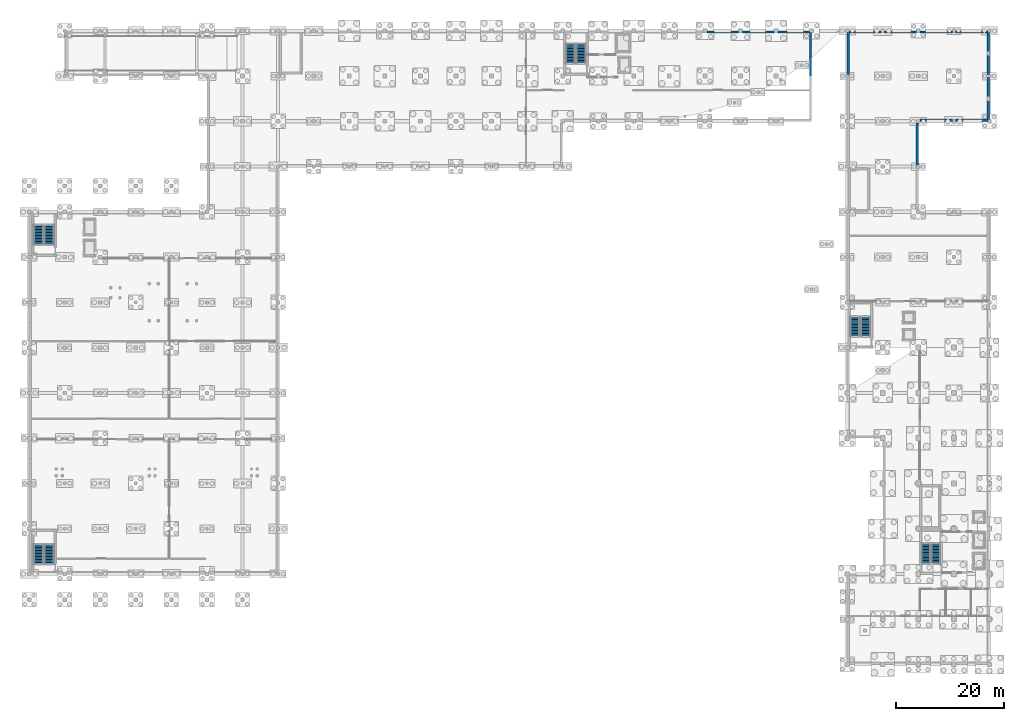
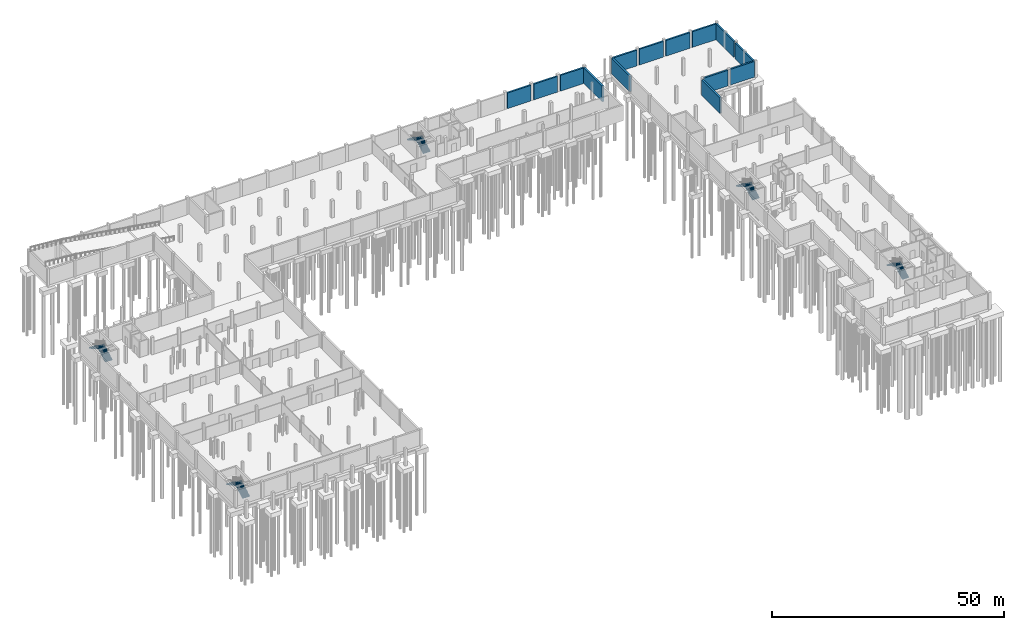
# One storey, part 18 of 25: 14 walls, 10 stair flights, 5 elements without a shape of their own.
"""IFC4 building model written with IfcOpenShell, lengths in metres."""

from ifc_helpers import new_model, si_unit, direction, frame, frame_2d, origin, place, context, subcontext, project, spatial, polyline, rectangle, outline, extrude, material, layer, layer_set, type_object, element, aggregate, save


model = new_model("IFC4")

# Units and contexts
model_context = context("Model", 3, precision=1e-05, world=origin(), true_north=direction((0.0, 1.0)))
body_context = subcontext(model_context, "Body", "Model", "MODEL_VIEW")
ifc_project = project(units=[si_unit("LENGTHUNIT", "METRE"), si_unit("AREAUNIT", "SQUARE_METRE"), si_unit("VOLUMEUNIT", "CUBIC_METRE"), si_unit("PLANEANGLEUNIT", "RADIAN"), si_unit("MASSUNIT", "GRAM", prefix="KILO")], contexts=[model_context])

# Site, building, storey
site_placement = place(None, origin())
site = spatial("IfcSite", under=ifc_project, at=site_placement, CompositionType="ELEMENT")
building_placement = place(site_placement, origin())
building = spatial("IfcBuilding", under=site, at=building_placement, Name="Qaldarim Faculty of Natural and Applied Sciences", CompositionType="ELEMENT")
storey_placement = place(building_placement, frame((0.0, 0.0, -4.5)))
storey = spatial("IfcBuildingStorey", under=building, at=storey_placement, Name="B01", CompositionType="ELEMENT", Elevation=-4.5)

# Walls
ifc_material = material(Name="Concrete C40/50", Category="concrete")
ifc_layer = layer(ifc_material, 0.419921875)
ifc_layer_set = layer_set([ifc_layer], Name="Concrete C40/50")
wall_type = type_object("IfcWallType", Name="BasementRetainingWall-420", PredefinedType="SOLIDWALL", material=ifc_layer_set)
for number, where, z_axis, x_axis, name in (
    (1, (131.655029296875, 117.389892578125, 0.0), (0.0, 0.0, 1.0), (-1.0, 0.0, 0.0), "Basement retaining wall N X20Y14"),
    (2, (138.2548828125, 117.389892578125, 0.0), (0.0, 0.0, 1.0), (-1.0, 0.0, 0.0), "Basement retaining wall N X21Y14"),
):
    element("IfcWall", number, at=place(storey_placement, frame(where, z_axis=z_axis, x_axis=x_axis)), inside=storey, type_object=wall_type, Name=name, PredefinedType="SOLIDWALL", context=body_context, shape_type="SweptSolid", body=[
        extrude(rectangle(XDim=5.909912109375, YDim=0.419921875, at=frame_2d((2.955078125, 0.0))), origin(), (0.0, 0.0, 1.0), 4.139892578125),
    ])
wall_1_placement = place(storey_placement, frame((144.989990234375, 109.199951171875, 0.0), z_axis=(0.0, 0.0, 1.0), x_axis=(0.0, 1.0, 0.0)))
element("IfcWall", 3, at=wall_1_placement, inside=storey, type_object=wall_type, Name="Basement retaining wall E X22Y14", PredefinedType="SOLIDWALL", context=body_context, shape_type="SweptSolid", body=[
    extrude(rectangle(XDim=8.054931640625, YDim=0.419921875, at=frame_2d((4.02734375, 0.0))), origin(), (0.0, 0.0, 1.0), 4.139892578125),
])
wall_2_placement = place(storey_placement, frame((144.85498046875, 117.389892578125, 0.0), z_axis=(0.0, 0.0, 1.0), x_axis=(-1.0, 0.0, 0.0)))
element("IfcWall", 4, at=wall_2_placement, inside=storey, type_object=wall_type, Name="Basement retaining wall N X22Y14", PredefinedType="SOLIDWALL", context=body_context, shape_type="SweptSolid", body=[
    extrude(rectangle(XDim=5.909912109375, YDim=0.419921875, at=frame_2d((2.955078125, 0.0))), origin(), (0.0, 0.0, 1.0), 4.139892578125),
])
wall_3_placement = place(storey_placement, frame((158.10498046875, 117.389892578125, 0.0), z_axis=(0.0, 0.0, 1.0), x_axis=(-1.0, 0.0, 0.0)))
element("IfcWall", 5, at=wall_3_placement, inside=storey, type_object=wall_type, Name="Basement retaining wall N X24Y14", PredefinedType="SOLIDWALL", context=body_context, shape_type="SweptSolid", body=[
    extrude(rectangle(XDim=6.010009765625, YDim=0.419921875, at=frame_2d((3.0048828125, 0.0))), origin(), (0.0, 0.0, 1.0), 4.139892578125),
])
for number, where, z_axis, x_axis, name in (
    (6, (152.010009765625, 117.304931640625, 0.0), (0.0, 0.0, 1.0), (0.0, -1.0, 0.0), "Basement retaining wall W X24Y14"),
    (7, (164.7900390625, 92.695068359375, 0.0), (0.0, 0.0, 1.0), (0.0, 1.0, 0.0), "Basement retaining wall E X25Y12"),
):
    element("IfcWall", number, at=place(storey_placement, frame(where, z_axis=z_axis, x_axis=x_axis)), inside=storey, type_object=wall_type, Name=name, PredefinedType="SOLIDWALL", context=body_context, shape_type="SweptSolid", body=[
        extrude(rectangle(XDim=7.809814453125, YDim=0.419921875, at=frame_2d((3.90478515625, 0.0))), origin(), (0.0, 0.0, 1.0), 4.139892578125),
    ])
for number, where, z_axis, x_axis, name in (
    (8, (164.705078125, 117.389892578125, 0.0), (0.0, 0.0, 1.0), (-1.0, 0.0, 0.0), "Basement retaining wall N X25Y14"),
    (9, (165.294921875, 101.010009765625, 0.0), (0.0, 0.0, 1.0), (1.0, 0.0, 0.0), "Basement retaining wall S X26Y13"),
    (10, (171.304931640625, 117.389892578125, 0.0), (0.0, 0.0, 1.0), (-1.0, 0.0, 0.0), "Basement retaining wall N X26Y14"),
    (11, (171.89501953125, 101.010009765625, 0.0), (0.0, 0.0, 1.0), (1.0, 0.0, 0.0), "Basement retaining wall S X27Y13"),
):
    element("IfcWall", number, at=place(storey_placement, frame(where, z_axis=z_axis, x_axis=x_axis)), inside=storey, type_object=wall_type, Name=name, PredefinedType="SOLIDWALL", context=body_context, shape_type="SweptSolid", body=[
        extrude(rectangle(XDim=6.010009765625, YDim=0.419921875, at=frame_2d((3.0048828125, 0.0))), origin(), (0.0, 0.0, 1.0), 4.139892578125),
    ])
wall_4_placement = place(storey_placement, frame((177.989990234375, 101.094970703125, 0.0), z_axis=(0.0, 0.0, 1.0), x_axis=(0.0, 1.0, 0.0)))
element("IfcWall", 12, at=wall_4_placement, inside=storey, type_object=wall_type, Name="Basement retaining wall E X27Y13", PredefinedType="SOLIDWALL", context=body_context, shape_type="SweptSolid", body=[
    extrude(rectangle(XDim=7.81005859375, YDim=0.419921875, at=frame_2d((3.905029296875, 0.0))), origin(), (0.0, 0.0, 1.0), 4.139892578125),
])
wall_5_placement = place(storey_placement, frame((177.989990234375, 109.4951171875, 0.0), z_axis=(0.0, 0.0, 1.0), x_axis=(0.0, 1.0, 0.0)))
element("IfcWall", 13, at=wall_5_placement, inside=storey, type_object=wall_type, Name="Basement retaining wall E X27Y14", PredefinedType="SOLIDWALL", context=body_context, shape_type="SweptSolid", body=[
    extrude(rectangle(XDim=7.809814453125, YDim=0.419921875, at=frame_2d((3.90478515625, 0.0))), origin(), (0.0, 0.0, 1.0), 4.139892578125),
])
wall_6_placement = place(storey_placement, frame((177.905029296875, 117.389892578125, 0.0), z_axis=(0.0, 0.0, 1.0), x_axis=(-1.0, 0.0, 0.0)))
element("IfcWall", 14, at=wall_6_placement, inside=storey, type_object=wall_type, Name="Basement retaining wall N X27Y14", PredefinedType="SOLIDWALL", context=body_context, shape_type="SweptSolid", body=[
    extrude(rectangle(XDim=6.010009765625, YDim=0.419921875, at=frame_2d((3.0048828125, 0.0))), origin(), (0.0, 0.0, 1.0), 4.139892578125),
])

# Stair, stair flights
stair_type_1 = type_object("IfcStairType", Name="DoglegStair-W1650-H4500-28R", PredefinedType="HALF_TURN_STAIR", material=ifc_material)
stair_1_placement = place(storey_placement, origin())
stair_1 = element("IfcStair", 15, at=stair_1_placement, inside=storey, type_object=stair_type_1, Name="Enclosed exit stair ST-A1 B01", PredefinedType="HALF_TURN_STAIR")
stair_flight_type_1 = type_object("IfcStairFlightType", Name="StairFlight-W1650-14R", PredefinedType="STRAIGHT", material=ifc_material)
stair_flight_1_placement = place(storey_placement, frame((168.27490234375, 18.75, 0.0), z_axis=(0.0, 0.0, 1.0), x_axis=(0.0, 1.0, 0.0)))
stair_flight_1 = element("IfcStairFlight", 16, at=stair_flight_1_placement, type_object=stair_flight_type_1, Name="ST-A1 B01 flight 1", NumberOfRisers=14, NumberOfTreads=13, PredefinedType="STRAIGHT", RiserHeight=0.160714286, TreadLength=0.285, context=body_context, shape_type="SweptSolid", body=[
    extrude(outline(polyline([(0.0, 0.0), (0.0, 0.16064453125), (0.284912109375, 0.16064453125), (0.284912109375, 0.321533203125), (0.570068359375, 0.321533203125), (0.570068359375, 0.482177734375), (0.85498046875, 0.482177734375), (0.85498046875, 0.642822265625), (1.139892578125, 0.642822265625), (1.139892578125, 0.803466796875), (1.425048828125, 0.803466796875), (1.425048828125, 0.96435546875), (1.7099609375, 0.96435546875), (1.7099609375, 1.125), (1.9951171875, 1.125), (1.9951171875, 1.28564453125), (2.280029296875, 1.28564453125), (2.280029296875, 1.446533203125), (2.56494140625, 1.446533203125), (2.56494140625, 1.607177734375), (2.85009765625, 1.607177734375), (2.85009765625, 1.767822265625), (3.135009765625, 1.767822265625), (3.135009765625, 1.928466796875), (3.419921875, 1.928466796875), (3.419921875, 2.08935546875), (3.705078125, 2.08935546875), (3.705078125, 2.25), (3.705078125, 1.917236328125), (0.30517578125, 0.0), (0.0, 0.0)])), frame((0.0, 0.824951171875, 0.0), z_axis=(0.0, -1.0, 0.0), x_axis=(1.0, 0.0, 0.0)), (0.0, 0.0, 1.0), 1.64990234375),
])
stair_flight_2_placement = place(storey_placement, frame((166.425048828125, 22.455078125, 2.25), z_axis=(0.0, 0.0, 1.0), x_axis=(0.0, -1.0, 0.0)))
stair_flight_2 = element("IfcStairFlight", 17, at=stair_flight_2_placement, type_object=stair_flight_type_1, Name="ST-A1 B01 flight 2", NumberOfRisers=14, NumberOfTreads=13, PredefinedType="STRAIGHT", RiserHeight=0.160714286, TreadLength=0.285, context=body_context, shape_type="SweptSolid", body=[
    extrude(outline(polyline([(0.0, 0.0), (0.0, 0.16064453125), (0.284912109375, 0.16064453125), (0.284912109375, 0.321533203125), (0.570068359375, 0.321533203125), (0.570068359375, 0.482177734375), (0.85498046875, 0.482177734375), (0.85498046875, 0.642822265625), (1.139892578125, 0.642822265625), (1.139892578125, 0.803466796875), (1.425048828125, 0.803466796875), (1.425048828125, 0.96435546875), (1.7099609375, 0.96435546875), (1.7099609375, 1.125), (1.9951171875, 1.125), (1.9951171875, 1.28564453125), (2.280029296875, 1.28564453125), (2.280029296875, 1.446533203125), (2.56494140625, 1.446533203125), (2.56494140625, 1.607177734375), (2.85009765625, 1.607177734375), (2.85009765625, 1.767822265625), (3.135009765625, 1.767822265625), (3.135009765625, 1.928466796875), (3.419921875, 1.928466796875), (3.419921875, 2.08935546875), (3.705078125, 2.08935546875), (3.705078125, 2.25), (3.705078125, 1.917236328125), (0.30517578125, 0.0), (0.0, 0.0)])), frame((0.0, 0.824951171875, 0.0), z_axis=(0.0, -1.0, 0.0), x_axis=(1.0, 0.0, 0.0)), (0.0, 0.0, 1.0), 1.64990234375),
])
aggregate(stair_1, [stair_flight_1, stair_flight_2])

stair_type_2 = type_object("IfcStairType", Name="DoglegStair-W1800-H4500-28R", PredefinedType="HALF_TURN_STAIR", material=ifc_material)
stair_2_placement = place(storey_placement, origin())
stair_2 = element("IfcStair", 18, at=stair_2_placement, inside=storey, type_object=stair_type_2, Name="Enclosed exit stair ST-B1 B01", PredefinedType="HALF_TURN_STAIR")
stair_flight_type_2 = type_object("IfcStairFlightType", Name="StairFlight-W1800-14R", PredefinedType="STRAIGHT", material=ifc_material)
stair_flight_3_placement = place(storey_placement, frame((102.449951171875, 111.5, 0.0), z_axis=(0.0, 0.0, 1.0), x_axis=(0.0, 1.0, 0.0)))
stair_flight_3 = element("IfcStairFlight", 19, at=stair_flight_3_placement, type_object=stair_flight_type_2, Name="ST-B1 B01 flight 1", NumberOfRisers=14, NumberOfTreads=13, PredefinedType="STRAIGHT", RiserHeight=0.160714286, TreadLength=0.285, context=body_context, shape_type="SweptSolid", body=[
    extrude(outline(polyline([(0.0, 0.0), (0.0, 0.16064453125), (0.284912109375, 0.16064453125), (0.284912109375, 0.321533203125), (0.570068359375, 0.321533203125), (0.570068359375, 0.482177734375), (0.85498046875, 0.482177734375), (0.85498046875, 0.642822265625), (1.139892578125, 0.642822265625), (1.139892578125, 0.803466796875), (1.425048828125, 0.803466796875), (1.425048828125, 0.96435546875), (1.7099609375, 0.96435546875), (1.7099609375, 1.125), (1.9951171875, 1.125), (1.9951171875, 1.28564453125), (2.280029296875, 1.28564453125), (2.280029296875, 1.446533203125), (2.56494140625, 1.446533203125), (2.56494140625, 1.607177734375), (2.85009765625, 1.607177734375), (2.85009765625, 1.767822265625), (3.135009765625, 1.767822265625), (3.135009765625, 1.928466796875), (3.419921875, 1.928466796875), (3.419921875, 2.08935546875), (3.705078125, 2.08935546875), (3.705078125, 2.25), (3.705078125, 1.917236328125), (0.30517578125, 0.0), (0.0, 0.0)])), frame((0.0, 0.89990234375, 0.0), z_axis=(0.0, -1.0, 0.0), x_axis=(1.0, 0.0, 0.0)), (0.0, 0.0, 1.0), 1.800048828125),
])
stair_flight_4_placement = place(storey_placement, frame((100.449951171875, 115.205078125, 2.25), z_axis=(0.0, 0.0, 1.0), x_axis=(0.0, -1.0, 0.0)))
stair_flight_4 = element("IfcStairFlight", 20, at=stair_flight_4_placement, type_object=stair_flight_type_2, Name="ST-B1 B01 flight 2", NumberOfRisers=14, NumberOfTreads=13, PredefinedType="STRAIGHT", RiserHeight=0.160714286, TreadLength=0.285, context=body_context, shape_type="SweptSolid", body=[
    extrude(outline(polyline([(0.0, 0.0), (0.0, 0.16064453125), (0.284912109375, 0.16064453125), (0.284912109375, 0.321533203125), (0.570068359375, 0.321533203125), (0.570068359375, 0.482177734375), (0.85498046875, 0.482177734375), (0.85498046875, 0.642822265625), (1.139892578125, 0.642822265625), (1.139892578125, 0.803466796875), (1.425048828125, 0.803466796875), (1.425048828125, 0.96435546875), (1.7099609375, 0.96435546875), (1.7099609375, 1.125), (1.9951171875, 1.125), (1.9951171875, 1.28564453125), (2.280029296875, 1.28564453125), (2.280029296875, 1.446533203125), (2.56494140625, 1.446533203125), (2.56494140625, 1.607177734375), (2.85009765625, 1.607177734375), (2.85009765625, 1.767822265625), (3.135009765625, 1.767822265625), (3.135009765625, 1.928466796875), (3.419921875, 1.928466796875), (3.419921875, 2.08935546875), (3.705078125, 2.08935546875), (3.705078125, 2.25), (3.705078125, 1.917236328125), (0.30517578125, 0.0), (0.0, 0.0)])), frame((0.0, 0.89990234375, 0.0), z_axis=(0.0, -1.0, 0.0), x_axis=(1.0, 0.0, 0.0)), (0.0, 0.0, 1.0), 1.800048828125),
])
aggregate(stair_2, [stair_flight_3, stair_flight_4])

stair_3_placement = place(storey_placement, origin())
stair_3 = element("IfcStair", 21, at=stair_3_placement, inside=storey, type_object=stair_type_2, Name="Enclosed exit stair ST-C1 B01", PredefinedType="HALF_TURN_STAIR")
stair_flight_5_placement = place(storey_placement, frame((155.25, 60.85009765625, 0.0), z_axis=(0.0, 0.0, 1.0), x_axis=(0.0, 1.0, 0.0)))
stair_flight_5 = element("IfcStairFlight", 22, at=stair_flight_5_placement, type_object=stair_flight_type_2, Name="ST-C1 B01 flight 1", NumberOfRisers=14, NumberOfTreads=13, PredefinedType="STRAIGHT", RiserHeight=0.160714286, TreadLength=0.285, context=body_context, shape_type="SweptSolid", body=[
    extrude(outline(polyline([(0.0, 0.0), (0.0, 0.16064453125), (0.284912109375, 0.16064453125), (0.284912109375, 0.321533203125), (0.570068359375, 0.321533203125), (0.570068359375, 0.482177734375), (0.85498046875, 0.482177734375), (0.85498046875, 0.642822265625), (1.139892578125, 0.642822265625), (1.139892578125, 0.803466796875), (1.425048828125, 0.803466796875), (1.425048828125, 0.96435546875), (1.7099609375, 0.96435546875), (1.7099609375, 1.125), (1.9951171875, 1.125), (1.9951171875, 1.28564453125), (2.280029296875, 1.28564453125), (2.280029296875, 1.446533203125), (2.56494140625, 1.446533203125), (2.56494140625, 1.607177734375), (2.85009765625, 1.607177734375), (2.85009765625, 1.767822265625), (3.135009765625, 1.767822265625), (3.135009765625, 1.928466796875), (3.419921875, 1.928466796875), (3.419921875, 2.08935546875), (3.705078125, 2.08935546875), (3.705078125, 2.25), (3.705078125, 1.917236328125), (0.30517578125, 0.0), (0.0, 0.0)])), frame((0.0, 0.89990234375, 0.0), z_axis=(0.0, -1.0, 0.0), x_axis=(1.0, 0.0, 0.0)), (0.0, 0.0, 1.0), 1.800048828125),
])
stair_flight_6_placement = place(storey_placement, frame((153.25, 64.554931640625, 2.25), z_axis=(0.0, 0.0, 1.0), x_axis=(0.0, -1.0, 0.0)))
stair_flight_6 = element("IfcStairFlight", 23, at=stair_flight_6_placement, type_object=stair_flight_type_2, Name="ST-C1 B01 flight 2", NumberOfRisers=14, NumberOfTreads=13, PredefinedType="STRAIGHT", RiserHeight=0.160714286, TreadLength=0.285, context=body_context, shape_type="SweptSolid", body=[
    extrude(outline(polyline([(0.0, 0.0), (0.0, 0.16064453125), (0.284912109375, 0.16064453125), (0.284912109375, 0.321533203125), (0.570068359375, 0.321533203125), (0.570068359375, 0.482177734375), (0.85498046875, 0.482177734375), (0.85498046875, 0.642822265625), (1.139892578125, 0.642822265625), (1.139892578125, 0.803466796875), (1.425048828125, 0.803466796875), (1.425048828125, 0.96435546875), (1.7099609375, 0.96435546875), (1.7099609375, 1.125), (1.9951171875, 1.125), (1.9951171875, 1.28564453125), (2.280029296875, 1.28564453125), (2.280029296875, 1.446533203125), (2.56494140625, 1.446533203125), (2.56494140625, 1.607177734375), (2.85009765625, 1.607177734375), (2.85009765625, 1.767822265625), (3.135009765625, 1.767822265625), (3.135009765625, 1.928466796875), (3.419921875, 1.928466796875), (3.419921875, 2.08935546875), (3.705078125, 2.08935546875), (3.705078125, 2.25), (3.705078125, 1.917236328125), (0.30517578125, 0.0), (0.0, 0.0)])), frame((0.0, 0.89990234375, 0.0), z_axis=(0.0, -1.0, 0.0), x_axis=(1.0, 0.0, 0.0)), (0.0, 0.0, 1.0), 1.800048828125),
])
aggregate(stair_3, [stair_flight_5, stair_flight_6])

stair_4_placement = place(storey_placement, origin())
stair_4 = element("IfcStair", 24, at=stair_4_placement, inside=storey, type_object=stair_type_2, Name="Enclosed exit stair ST-D1 B01", PredefinedType="HALF_TURN_STAIR")
stair_flight_7_placement = place(storey_placement, frame((3.75, 18.60009765625, 0.0), z_axis=(0.0, 0.0, 1.0), x_axis=(0.0, 1.0, 0.0)))
stair_flight_7 = element("IfcStairFlight", 25, at=stair_flight_7_placement, type_object=stair_flight_type_2, Name="ST-D1 B01 flight 1", NumberOfRisers=14, NumberOfTreads=13, PredefinedType="STRAIGHT", RiserHeight=0.160714286, TreadLength=0.285, context=body_context, shape_type="SweptSolid", body=[
    extrude(outline(polyline([(0.0, 0.0), (0.0, 0.16064453125), (0.284912109375, 0.16064453125), (0.284912109375, 0.321533203125), (0.570068359375, 0.321533203125), (0.570068359375, 0.482177734375), (0.85498046875, 0.482177734375), (0.85498046875, 0.642822265625), (1.139892578125, 0.642822265625), (1.139892578125, 0.803466796875), (1.425048828125, 0.803466796875), (1.425048828125, 0.96435546875), (1.7099609375, 0.96435546875), (1.7099609375, 1.125), (1.9951171875, 1.125), (1.9951171875, 1.28564453125), (2.280029296875, 1.28564453125), (2.280029296875, 1.446533203125), (2.56494140625, 1.446533203125), (2.56494140625, 1.607177734375), (2.85009765625, 1.607177734375), (2.85009765625, 1.767822265625), (3.135009765625, 1.767822265625), (3.135009765625, 1.928466796875), (3.419921875, 1.928466796875), (3.419921875, 2.08935546875), (3.705078125, 2.08935546875), (3.705078125, 2.25), (3.705078125, 1.917236328125), (0.30517578125, 0.0), (0.0, 0.0)])), frame((0.0, 0.89990234375, 0.0), z_axis=(0.0, -1.0, 0.0), x_axis=(1.0, 0.0, 0.0)), (0.0, 0.0, 1.0), 1.800048828125),
])
stair_flight_8_placement = place(storey_placement, frame((1.75, 22.304931640625, 2.25), z_axis=(0.0, 0.0, 1.0), x_axis=(0.0, -1.0, 0.0)))
stair_flight_8 = element("IfcStairFlight", 26, at=stair_flight_8_placement, type_object=stair_flight_type_2, Name="ST-D1 B01 flight 2", NumberOfRisers=14, NumberOfTreads=13, PredefinedType="STRAIGHT", RiserHeight=0.160714286, TreadLength=0.285, context=body_context, shape_type="SweptSolid", body=[
    extrude(outline(polyline([(0.0, 0.0), (0.0, 0.16064453125), (0.284912109375, 0.16064453125), (0.284912109375, 0.321533203125), (0.570068359375, 0.321533203125), (0.570068359375, 0.482177734375), (0.85498046875, 0.482177734375), (0.85498046875, 0.642822265625), (1.139892578125, 0.642822265625), (1.139892578125, 0.803466796875), (1.425048828125, 0.803466796875), (1.425048828125, 0.96435546875), (1.7099609375, 0.96435546875), (1.7099609375, 1.125), (1.9951171875, 1.125), (1.9951171875, 1.28564453125), (2.280029296875, 1.28564453125), (2.280029296875, 1.446533203125), (2.56494140625, 1.446533203125), (2.56494140625, 1.607177734375), (2.85009765625, 1.607177734375), (2.85009765625, 1.767822265625), (3.135009765625, 1.767822265625), (3.135009765625, 1.928466796875), (3.419921875, 1.928466796875), (3.419921875, 2.08935546875), (3.705078125, 2.08935546875), (3.705078125, 2.25), (3.705078125, 1.917236328125), (0.30517578125, 0.0), (0.0, 0.0)])), frame((0.0, 0.89990234375, 0.0), z_axis=(0.0, -1.0, 0.0), x_axis=(1.0, 0.0, 0.0)), (0.0, 0.0, 1.0), 1.800048828125),
])
aggregate(stair_4, [stair_flight_7, stair_flight_8])

stair_5_placement = place(storey_placement, origin())
stair_5 = element("IfcStair", 27, at=stair_5_placement, inside=storey, type_object=stair_type_2, Name="Enclosed exit stair ST-D2 B01", PredefinedType="HALF_TURN_STAIR")
stair_flight_9_placement = place(storey_placement, frame((3.75, 77.89990234375, 0.0), z_axis=(0.0, 0.0, 1.0), x_axis=(0.0, 1.0, 0.0)))
stair_flight_9 = element("IfcStairFlight", 28, at=stair_flight_9_placement, type_object=stair_flight_type_2, Name="ST-D2 B01 flight 1", NumberOfRisers=14, NumberOfTreads=13, PredefinedType="STRAIGHT", RiserHeight=0.160714286, TreadLength=0.285, context=body_context, shape_type="SweptSolid", body=[
    extrude(outline(polyline([(0.0, 0.0), (0.0, 0.16064453125), (0.284912109375, 0.16064453125), (0.284912109375, 0.321533203125), (0.570068359375, 0.321533203125), (0.570068359375, 0.482177734375), (0.85498046875, 0.482177734375), (0.85498046875, 0.642822265625), (1.139892578125, 0.642822265625), (1.139892578125, 0.803466796875), (1.425048828125, 0.803466796875), (1.425048828125, 0.96435546875), (1.7099609375, 0.96435546875), (1.7099609375, 1.125), (1.9951171875, 1.125), (1.9951171875, 1.28564453125), (2.280029296875, 1.28564453125), (2.280029296875, 1.446533203125), (2.56494140625, 1.446533203125), (2.56494140625, 1.607177734375), (2.85009765625, 1.607177734375), (2.85009765625, 1.767822265625), (3.135009765625, 1.767822265625), (3.135009765625, 1.928466796875), (3.419921875, 1.928466796875), (3.419921875, 2.08935546875), (3.705078125, 2.08935546875), (3.705078125, 2.25), (3.705078125, 1.917236328125), (0.30517578125, 0.0), (0.0, 0.0)])), frame((0.0, 0.89990234375, 0.0), z_axis=(0.0, -1.0, 0.0), x_axis=(1.0, 0.0, 0.0)), (0.0, 0.0, 1.0), 1.800048828125),
])
stair_flight_10_placement = place(storey_placement, frame((1.75, 81.60498046875, 2.25), z_axis=(0.0, 0.0, 1.0), x_axis=(0.0, -1.0, 0.0)))
stair_flight_10 = element("IfcStairFlight", 29, at=stair_flight_10_placement, type_object=stair_flight_type_2, Name="ST-D2 B01 flight 2", NumberOfRisers=14, NumberOfTreads=13, PredefinedType="STRAIGHT", RiserHeight=0.160714286, TreadLength=0.285, context=body_context, shape_type="SweptSolid", body=[
    extrude(outline(polyline([(0.0, 0.0), (0.0, 0.16064453125), (0.284912109375, 0.16064453125), (0.284912109375, 0.321533203125), (0.570068359375, 0.321533203125), (0.570068359375, 0.482177734375), (0.85498046875, 0.482177734375), (0.85498046875, 0.642822265625), (1.139892578125, 0.642822265625), (1.139892578125, 0.803466796875), (1.425048828125, 0.803466796875), (1.425048828125, 0.96435546875), (1.7099609375, 0.96435546875), (1.7099609375, 1.125), (1.9951171875, 1.125), (1.9951171875, 1.28564453125), (2.280029296875, 1.28564453125), (2.280029296875, 1.446533203125), (2.56494140625, 1.446533203125), (2.56494140625, 1.607177734375), (2.85009765625, 1.607177734375), (2.85009765625, 1.767822265625), (3.135009765625, 1.767822265625), (3.135009765625, 1.928466796875), (3.419921875, 1.928466796875), (3.419921875, 2.08935546875), (3.705078125, 2.08935546875), (3.705078125, 2.25), (3.705078125, 1.917236328125), (0.30517578125, 0.0), (0.0, 0.0)])), frame((0.0, 0.89990234375, 0.0), z_axis=(0.0, -1.0, 0.0), x_axis=(1.0, 0.0, 0.0)), (0.0, 0.0, 1.0), 1.800048828125),
])
aggregate(stair_5, [stair_flight_9, stair_flight_10])

save(model, "model.ifc")
